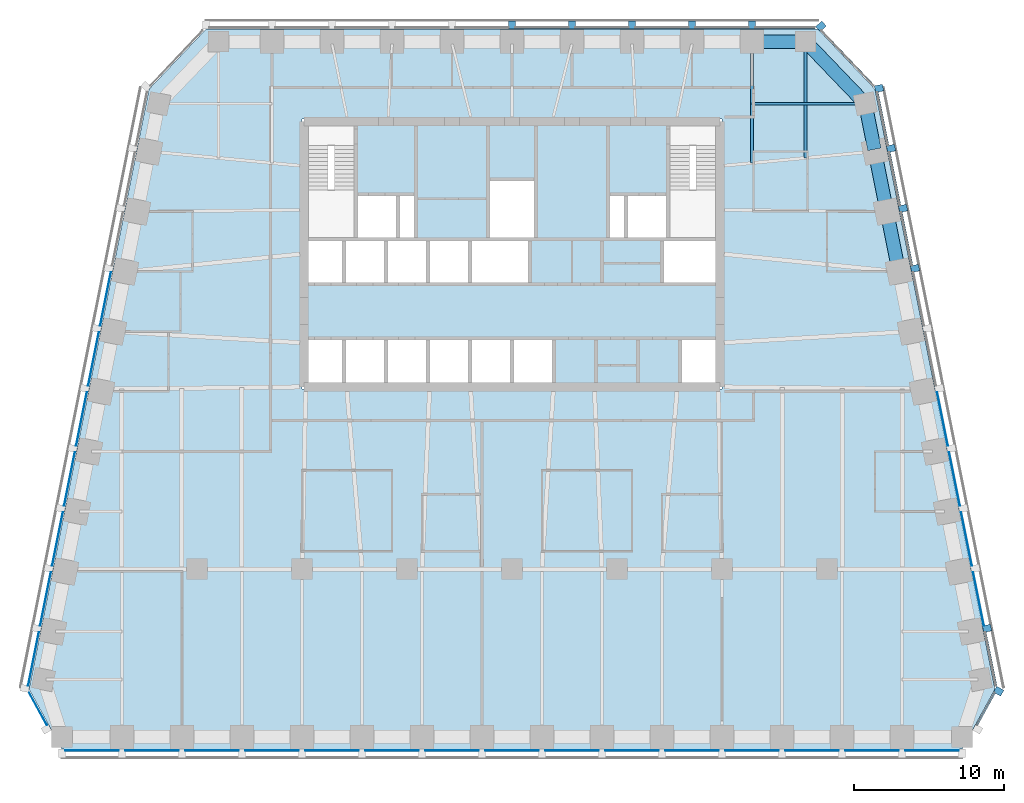
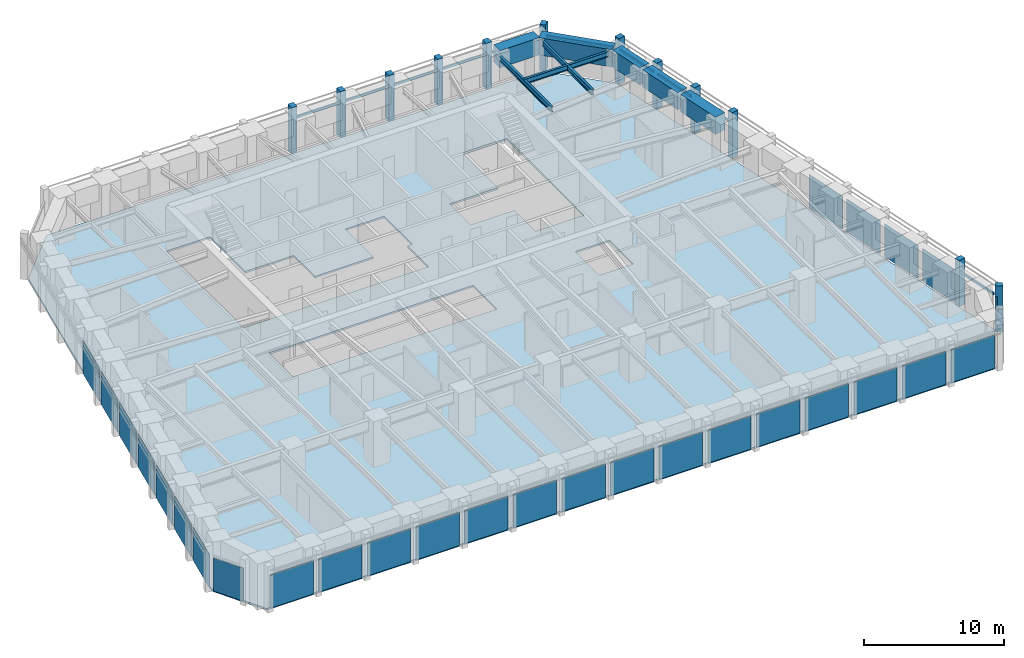
# One storey, part 4 of 10: 27 plates, 23 members, 8 beams, 1 slab, 7 elements without a shape of their own.
"""IFC4 building model written with IfcOpenShell, lengths in metres."""

from ifc_helpers import new_model, si_unit, direction, frame, origin, origin_2d, place, context, subcontext, project, spatial, polyline, rectangle, i_section, outline, extrude, material, layer, layer_set, material_profile, profile_set, type_object, element, aggregate, save


model = new_model("IFC4")

# Units and contexts
model_context = context("Model", 3, precision=1e-05, world=origin(), true_north=direction((0.0, 1.0)))
body_context = subcontext(model_context, "Body", "Model", "MODEL_VIEW")
ifc_project = project(units=[si_unit("LENGTHUNIT", "METRE"), si_unit("AREAUNIT", "SQUARE_METRE"), si_unit("VOLUMEUNIT", "CUBIC_METRE"), si_unit("PLANEANGLEUNIT", "RADIAN"), si_unit("MASSUNIT", "GRAM", prefix="KILO")], contexts=[model_context])

# Site, building, storey
site_placement = place(None, origin())
site = spatial("IfcSite", under=ifc_project, at=site_placement, CompositionType="ELEMENT")
building_placement = place(site_placement, origin())
building = spatial("IfcBuilding", under=site, at=building_placement, Name="Isbrekke Arena Tower", CompositionType="ELEMENT")
storey_placement = place(building_placement, frame((0.0, 0.0, 230.0)))
storey = spatial("IfcBuildingStorey", under=building, at=storey_placement, Name="L53", CompositionType="ELEMENT", Elevation=230.0)

# Beams
ifc_material_1 = material(Name="Steel S355", Category="steel")
ifc_material_profile_1 = material_profile(ifc_material_1, i_section(OverallWidth=0.18994140625, OverallDepth=0.449951171875, WebThickness=0.009521484375, FlangeThickness=0.0146484375, FilletRadius=0.02099609375, at=origin_2d()), Name="IPE 450")
ifc_profile_set_1 = profile_set([ifc_material_profile_1], Name="Steel S355")
beam_type_1 = type_object("IfcBeamType", Name="B2 IPE 450", PredefinedType="BEAM", material=ifc_profile_set_1)
beam_1_placement = place(storey_placement, frame((23.40283203125, 25.029296875, 3.625), z_axis=(-1.0, 0.0, 0.0), x_axis=(0.0, -1.0, 0.0)))
element("IfcBeam", 1, at=beam_1_placement, inside=storey, type_object=beam_type_1, Name="B2 beam E-E11 L53", PredefinedType="BEAM", context=body_context, shape_type="SweptSolid", body=[
    extrude(i_section(OverallWidth=0.18994140625, OverallDepth=0.449951171875, WebThickness=0.009521484375, FlangeThickness=0.0146484375, FilletRadius=0.02099609375, at=origin_2d()), origin(), (0.0, 0.0, 1.0), 7.40283203125),
])
ifc_material_2 = material(Name="Steel S355", Category="steel")
ifc_material_profile_2 = material_profile(ifc_material_2, i_section(OverallWidth=0.18994140625, OverallDepth=0.449951171875, WebThickness=0.009521484375, FlangeThickness=0.0146484375, FilletRadius=0.02099609375, at=origin_2d()), Name="IPE 450")
ifc_profile_set_2 = profile_set([ifc_material_profile_2], Name="Steel S355")
beam_type_2 = type_object("IfcBeamType", Name="B3 IPE 450", PredefinedType="BEAM", material=ifc_profile_set_2)
beam_2_placement = place(storey_placement, frame((19.574951171875, 29.02490234375, 3.625), z_axis=(0.0, -1.0, 0.0), x_axis=(1.0, 0.0, 0.0)))
element("IfcBeam", 2, at=beam_2_placement, inside=storey, type_object=beam_type_2, Name="B3 beam N-N01 L53", PredefinedType="BEAM", context=body_context, shape_type="SweptSolid", body=[
    extrude(i_section(OverallWidth=0.18994140625, OverallDepth=0.449951171875, WebThickness=0.009521484375, FlangeThickness=0.0146484375, FilletRadius=0.02099609375, at=origin_2d()), origin(), (0.0, 0.0, 1.0), 7.6103515625),
])
beam_3_placement = place(storey_placement, frame((16.0, 29.02490234375, 3.625), z_axis=(0.0, -1.0, 0.0), x_axis=(1.0, 0.0, 0.0)))
element("IfcBeam", 3, at=beam_3_placement, inside=storey, type_object=beam_type_2, Name="B3 beam N-N02 L53", PredefinedType="BEAM", context=body_context, shape_type="SweptSolid", body=[
    extrude(i_section(OverallWidth=0.18994140625, OverallDepth=0.449951171875, WebThickness=0.009521484375, FlangeThickness=0.0146484375, FilletRadius=0.02099609375, at=origin_2d()), origin(), (0.0, 0.0, 1.0), 7.949462890625),
])

# Curtain wall, member
ifc_material_3 = material(Name="Glazed aluminium curtain wall", Category="aluminium")
curtain_wall_type = type_object("IfcCurtainWallType", Name="CWH TOWER CURTAIN WALL HIGH ZONE", PredefinedType="USERDEFINED", material=ifc_material_3)
curtain_wall_1_placement = place(storey_placement, origin())
curtain_wall_1 = element("IfcCurtainWall", 4, at=curtain_wall_1_placement, inside=storey, type_object=curtain_wall_type, Name="CWH curtain wall L53-SE", ObjectType="TOWER CURTAIN WALL HIGH ZONE", PredefinedType="USERDEFINED")
ifc_material_4 = material(Name="Aluminium mullion, pale brick slip cladding", Category="masonry")
ifc_material_profile_3 = material_profile(ifc_material_4, rectangle(XDim=0.449951171875, YDim=0.550048828125, at=origin_2d()), Name="PIER 450X550")
ifc_profile_set_3 = profile_set([ifc_material_profile_3], Name="Aluminium mullion, pale brick slip cladding")
member_type_1 = type_object("IfcMemberType", Name="CWH-M PIER MULLION 450 x 550", PredefinedType="MULLION", material=ifc_profile_set_3)
member_1_placement = place(storey_placement, frame((32.44091796875, -14.132568359375, 0.0), z_axis=(0.0, 0.0, 1.0), x_axis=(0.481918749773, 0.876215908676, 0.0)))
member_1 = element("IfcMember", 5, at=member_1_placement, type_object=member_type_1, Name="CWH-M mullion 2", PredefinedType="MULLION", context=body_context, shape_type="SweptSolid", body=[
    extrude(rectangle(XDim=0.449951171875, YDim=0.550048828125, at=origin_2d()), origin(), (0.0, 0.0, 1.0), 4.0),
])

# Curtain wall, members
curtain_wall_2_placement = place(storey_placement, origin())
curtain_wall_2 = element("IfcCurtainWall", 6, at=curtain_wall_2_placement, inside=storey, type_object=curtain_wall_type, Name="CWH curtain wall L53-E", ObjectType="TOWER CURTAIN WALL HIGH ZONE", PredefinedType="USERDEFINED")
member_2_placement = place(storey_placement, frame((31.669677734375, -9.946044921875, 0.0), z_axis=(0.0, 0.0, 1.0), x_axis=(-0.196116135138, 0.980580675691, 0.0)))
member_2 = element("IfcMember", 7, at=member_2_placement, type_object=member_type_1, Name="CWH-M mullion 1", PredefinedType="MULLION", context=body_context, shape_type="SweptSolid", body=[
    extrude(rectangle(XDim=0.449951171875, YDim=0.550048828125, at=origin_2d()), origin(), (0.0, 0.0, 1.0), 4.0),
])
member_3_placement = place(storey_placement, frame((26.86962890625, 14.053955078125, 0.0), z_axis=(0.0, 0.0, 1.0), x_axis=(-0.196116135138, 0.980580675691, 0.0)))
member_3 = element("IfcMember", 8, at=member_3_placement, type_object=member_type_1, Name="CWH-M mullion 7", PredefinedType="MULLION", context=body_context, shape_type="SweptSolid", body=[
    extrude(rectangle(XDim=0.449951171875, YDim=0.550048828125, at=origin_2d()), origin(), (0.0, 0.0, 1.0), 4.0),
])
member_4_placement = place(storey_placement, frame((26.069580078125, 18.053955078125, 0.0), z_axis=(0.0, 0.0, 1.0), x_axis=(-0.196116135138, 0.980580675691, 0.0)))
member_4 = element("IfcMember", 9, at=member_4_placement, type_object=member_type_1, Name="CWH-M mullion 8", PredefinedType="MULLION", context=body_context, shape_type="SweptSolid", body=[
    extrude(rectangle(XDim=0.449951171875, YDim=0.550048828125, at=origin_2d()), origin(), (0.0, 0.0, 1.0), 4.0),
])
member_5_placement = place(storey_placement, frame((25.269775390625, 22.053955078125, 0.0), z_axis=(0.0, 0.0, 1.0), x_axis=(-0.196116135138, 0.980580675691, 0.0)))
member_5 = element("IfcMember", 10, at=member_5_placement, type_object=member_type_1, Name="CWH-M mullion 9", PredefinedType="MULLION", context=body_context, shape_type="SweptSolid", body=[
    extrude(rectangle(XDim=0.449951171875, YDim=0.550048828125, at=origin_2d()), origin(), (0.0, 0.0, 1.0), 4.0),
])
member_6_placement = place(storey_placement, frame((24.4697265625, 26.053955078125, 0.0), z_axis=(0.0, 0.0, 1.0), x_axis=(-0.196116135138, 0.980580675691, 0.0)))
member_6 = element("IfcMember", 11, at=member_6_placement, type_object=member_type_1, Name="CWH-M mullion 10", PredefinedType="MULLION", context=body_context, shape_type="SweptSolid", body=[
    extrude(rectangle(XDim=0.449951171875, YDim=0.550048828125, at=origin_2d()), origin(), (0.0, 0.0, 1.0), 4.0),
])

# Curtain wall, member
curtain_wall_3_placement = place(storey_placement, origin())
curtain_wall_3 = element("IfcCurtainWall", 12, at=curtain_wall_3_placement, inside=storey, type_object=curtain_wall_type, Name="CWH curtain wall L53-EN", ObjectType="TOWER CURTAIN WALL HIGH ZONE", PredefinedType="USERDEFINED")
member_7_placement = place(storey_placement, frame((20.599365234375, 30.189453125, 0.0), z_axis=(0.0, 0.0, 1.0), x_axis=(-0.68874946192, 0.72499943359, 0.0)))
member_7 = element("IfcMember", 13, at=member_7_placement, type_object=member_type_1, Name="CWH-M mullion 1", PredefinedType="MULLION", context=body_context, shape_type="SweptSolid", body=[
    extrude(rectangle(XDim=0.449951171875, YDim=0.550048828125, at=origin_2d()), origin(), (0.0, 0.0, 1.0), 4.0),
])

# Curtain wall, members
curtain_wall_4_placement = place(storey_placement, origin())
curtain_wall_4 = element("IfcCurtainWall", 14, at=curtain_wall_4_placement, inside=storey, type_object=curtain_wall_type, Name="CWH curtain wall L53-N", ObjectType="TOWER CURTAIN WALL HIGH ZONE", PredefinedType="USERDEFINED")
member_8_placement = place(storey_placement, frame((16.0, 30.27490234375, 0.0), z_axis=(0.0, 0.0, 1.0), x_axis=(-1.0, 0.0, 0.0)))
member_8 = element("IfcMember", 15, at=member_8_placement, type_object=member_type_1, Name="CWH-M mullion 1", PredefinedType="MULLION", context=body_context, shape_type="SweptSolid", body=[
    extrude(rectangle(XDim=0.449951171875, YDim=0.550048828125, at=origin_2d()), origin(), (0.0, 0.0, 1.0), 4.0),
])
member_9_placement = place(storey_placement, frame((12.0, 30.27490234375, 0.0), z_axis=(0.0, 0.0, 1.0), x_axis=(-1.0, 0.0, 0.0)))
member_9 = element("IfcMember", 16, at=member_9_placement, type_object=member_type_1, Name="CWH-M mullion 2", PredefinedType="MULLION", context=body_context, shape_type="SweptSolid", body=[
    extrude(rectangle(XDim=0.449951171875, YDim=0.550048828125, at=origin_2d()), origin(), (0.0, 0.0, 1.0), 4.0),
])
member_10_placement = place(storey_placement, frame((8.0, 30.27490234375, 0.0), z_axis=(0.0, 0.0, 1.0), x_axis=(-1.0, 0.0, 0.0)))
member_10 = element("IfcMember", 17, at=member_10_placement, type_object=member_type_1, Name="CWH-M mullion 3", PredefinedType="MULLION", context=body_context, shape_type="SweptSolid", body=[
    extrude(rectangle(XDim=0.449951171875, YDim=0.550048828125, at=origin_2d()), origin(), (0.0, 0.0, 1.0), 4.0),
])
member_11_placement = place(storey_placement, frame((4.0, 30.27490234375, 0.0), z_axis=(0.0, 0.0, 1.0), x_axis=(-1.0, 0.0, 0.0)))
member_11 = element("IfcMember", 18, at=member_11_placement, type_object=member_type_1, Name="CWH-M mullion 4", PredefinedType="MULLION", context=body_context, shape_type="SweptSolid", body=[
    extrude(rectangle(XDim=0.449951171875, YDim=0.550048828125, at=origin_2d()), origin(), (0.0, 0.0, 1.0), 4.0),
])
member_12_placement = place(storey_placement, frame((0.0, 30.27490234375, 0.0), z_axis=(0.0, 0.0, 1.0), x_axis=(-1.0, 0.0, 0.0)))
member_12 = element("IfcMember", 19, at=member_12_placement, type_object=member_type_1, Name="CWH-M mullion 5", PredefinedType="MULLION", context=body_context, shape_type="SweptSolid", body=[
    extrude(rectangle(XDim=0.449951171875, YDim=0.550048828125, at=origin_2d()), origin(), (0.0, 0.0, 1.0), 4.0),
])

# Member
ifc_material_5 = material(Name="Aluminium transom", Category="aluminium")
ifc_material_profile_4 = material_profile(ifc_material_5, rectangle(XDim=0.1201171875, YDim=0.199951171875, at=origin_2d()), Name="TRANSOM 120X200")
ifc_profile_set_4 = profile_set([ifc_material_profile_4], Name="Aluminium transom")
member_type_2 = type_object("IfcMemberType", Name="CWH-T TRANSOM 120 x 200", PredefinedType="USERDEFINED", material=ifc_profile_set_4)
member_13_placement = place(storey_placement, frame((31.002197265625, -16.38525390625, 3.0), z_axis=(0.481937937062, 0.876205355393, 0.0), x_axis=(-0.876205355393, 0.481937937062, 0.0)))
member_13 = element("IfcMember", 20, at=member_13_placement, type_object=member_type_2, Name="CWH-T transom 1", ObjectType="TRANSOM", PredefinedType="USERDEFINED", context=body_context, shape_type="SweptSolid", body=[
    extrude(rectangle(XDim=0.1201171875, YDim=0.199951171875, at=origin_2d()), origin(), (0.0, 0.0, 1.0), 2.442138671875),
])

aggregate(curtain_wall_1, [member_1, member_13])

member_14_placement = place(storey_placement, frame((32.25390625, -13.759765625, 3.0), z_axis=(-0.196090262229, 0.980585849918, 0.0), x_axis=(-0.980585849918, -0.196090262229, 0.0)))
member_14 = element("IfcMember", 21, at=member_14_placement, type_object=member_type_2, Name="CWH-T transom 1", ObjectType="TRANSOM", PredefinedType="USERDEFINED", context=body_context, shape_type="SweptSolid", body=[
    extrude(rectangle(XDim=0.1201171875, YDim=0.199951171875, at=origin_2d()), origin(), (0.0, 0.0, 1.0), 3.62939453125),
])

member_15_placement = place(storey_placement, frame((26.654052734375, 14.240234375, 3.0), z_axis=(-0.196154943734, 0.980572913173, 0.0), x_axis=(-0.980572913173, -0.196154943734, 0.0)))
member_15 = element("IfcMember", 22, at=member_15_placement, type_object=member_type_2, Name="CWH-T transom 8", ObjectType="TRANSOM", PredefinedType="USERDEFINED", context=body_context, shape_type="SweptSolid", body=[
    extrude(rectangle(XDim=0.1201171875, YDim=0.199951171875, at=origin_2d()), origin(), (0.0, 0.0, 1.0), 3.62939453125),
])

member_16_placement = place(storey_placement, frame((25.85400390625, 18.240234375, 3.0), z_axis=(-0.196154943734, 0.980572913173, 0.0), x_axis=(-0.980572913173, -0.196154943734, 0.0)))
member_16 = element("IfcMember", 23, at=member_16_placement, type_object=member_type_2, Name="CWH-T transom 9", ObjectType="TRANSOM", PredefinedType="USERDEFINED", context=body_context, shape_type="SweptSolid", body=[
    extrude(rectangle(XDim=0.1201171875, YDim=0.199951171875, at=origin_2d()), origin(), (0.0, 0.0, 1.0), 3.62939453125),
])

member_17_placement = place(storey_placement, frame((25.053955078125, 22.240234375, 3.0), z_axis=(-0.196090262229, 0.980585849918, 0.0), x_axis=(-0.980585849918, -0.196090262229, 0.0)))
member_17 = element("IfcMember", 24, at=member_17_placement, type_object=member_type_2, Name="CWH-T transom 10", ObjectType="TRANSOM", PredefinedType="USERDEFINED", context=body_context, shape_type="SweptSolid", body=[
    extrude(rectangle(XDim=0.1201171875, YDim=0.199951171875, at=origin_2d()), origin(), (0.0, 0.0, 1.0), 3.62939453125),
])

member_18_placement = place(storey_placement, frame((24.117431640625, 26.23193359375, 3.0), z_axis=(-0.688734266994, 0.725013868466, 0.0), x_axis=(-0.725013868466, -0.688734266994, 0.0)))
member_18 = element("IfcMember", 25, at=member_18_placement, type_object=member_type_2, Name="CWH-T transom 1", ObjectType="TRANSOM", PredefinedType="USERDEFINED", context=body_context, shape_type="SweptSolid", body=[
    extrude(rectangle(XDim=0.1201171875, YDim=0.199951171875, at=origin_2d()), origin(), (0.0, 0.0, 1.0), 5.067138671875),
])

aggregate(curtain_wall_3, [member_7, member_18])

member_19_placement = place(storey_placement, frame((20.175048828125, 30.10009765625, 3.0), z_axis=(-1.0, 0.0, 0.0), x_axis=(0.0, -1.0, 0.0)))
member_19 = element("IfcMember", 26, at=member_19_placement, type_object=member_type_2, Name="CWH-T transom 1", ObjectType="TRANSOM", PredefinedType="USERDEFINED", context=body_context, shape_type="SweptSolid", body=[
    extrude(rectangle(XDim=0.1201171875, YDim=0.199951171875, at=origin_2d()), origin(), (0.0, 0.0, 1.0), 3.949951171875),
])

member_20_placement = place(storey_placement, frame((15.77490234375, 30.10009765625, 3.0), z_axis=(-1.0, 0.0, 0.0), x_axis=(0.0, -1.0, 0.0)))
member_20 = element("IfcMember", 27, at=member_20_placement, type_object=member_type_2, Name="CWH-T transom 2", ObjectType="TRANSOM", PredefinedType="USERDEFINED", context=body_context, shape_type="SweptSolid", body=[
    extrude(rectangle(XDim=0.1201171875, YDim=0.199951171875, at=origin_2d()), origin(), (0.0, 0.0, 1.0), 3.5498046875),
])

member_21_placement = place(storey_placement, frame((11.77490234375, 30.10009765625, 3.0), z_axis=(-1.0, 0.0, 0.0), x_axis=(0.0, -1.0, 0.0)))
member_21 = element("IfcMember", 28, at=member_21_placement, type_object=member_type_2, Name="CWH-T transom 3", ObjectType="TRANSOM", PredefinedType="USERDEFINED", context=body_context, shape_type="SweptSolid", body=[
    extrude(rectangle(XDim=0.1201171875, YDim=0.199951171875, at=origin_2d()), origin(), (0.0, 0.0, 1.0), 3.5498046875),
])

member_22_placement = place(storey_placement, frame((7.77490234375, 30.10009765625, 3.0), z_axis=(-1.0, 0.0, 0.0), x_axis=(0.0, -1.0, 0.0)))
member_22 = element("IfcMember", 29, at=member_22_placement, type_object=member_type_2, Name="CWH-T transom 4", ObjectType="TRANSOM", PredefinedType="USERDEFINED", context=body_context, shape_type="SweptSolid", body=[
    extrude(rectangle(XDim=0.1201171875, YDim=0.199951171875, at=origin_2d()), origin(), (0.0, 0.0, 1.0), 3.5498046875),
])

member_23_placement = place(storey_placement, frame((3.77490234375, 30.10009765625, 3.0), z_axis=(-1.0, 0.0, 0.0), x_axis=(0.0, -1.0, 0.0)))
member_23 = element("IfcMember", 30, at=member_23_placement, type_object=member_type_2, Name="CWH-T transom 5", ObjectType="TRANSOM", PredefinedType="USERDEFINED", context=body_context, shape_type="SweptSolid", body=[
    extrude(rectangle(XDim=0.1201171875, YDim=0.199951171875, at=origin_2d()), origin(), (0.0, 0.0, 1.0), 3.5498046875),
])

aggregate(curtain_wall_4, [member_8, member_9, member_10, member_11, member_12, member_19, member_20, member_21, member_22, member_23])

# Beams
ifc_material_6 = material(Name="Concrete B65 (C65/80)", Category="concrete")
ifc_material_profile_5 = material_profile(ifc_material_6, rectangle(XDim=0.89990234375, YDim=1.5, at=origin_2d()), Name="RC 900x1500")
ifc_profile_set_5 = profile_set([ifc_material_profile_5], Name="Concrete B65 (C65/80)")
beam_type_3 = type_object("IfcBeamType", Name="SB3 RC 900 x 1500", PredefinedType="SPANDREL", material=ifc_profile_set_5)
for number, where, z_axis, x_axis, name in (
    (31, (25.76171875, 13.9853515625, 3.25), (-0.196128558387, 0.980578190959, 0.0), (-0.980578190959, -0.196128558387, 0.0), "SB3 spandrel E08-E09 L53"),
    (32, (24.961669921875, 17.9853515625, 3.25), (-0.196128558387, 0.980578190959, 0.0), (-0.980578190959, -0.196128558387, 0.0), "SB3 spandrel E09-E10 L53"),
):
    element("IfcBeam", number, at=place(storey_placement, frame(where, z_axis=z_axis, x_axis=x_axis)), inside=storey, type_object=beam_type_3, Name=name, PredefinedType="SPANDREL", context=body_context, shape_type="SweptSolid", body=[
        extrude(rectangle(XDim=0.89990234375, YDim=1.5, at=origin_2d()), origin(), (0.0, 0.0, 1.0), 3.779296875),
    ])
beam_4_placement = place(storey_placement, frame((24.16162109375, 21.9853515625, 3.25), z_axis=(-0.196116135138, 0.980580675691, 0.0), x_axis=(-0.980580675691, -0.196116135138, 0.0)))
element("IfcBeam", 33, at=beam_4_placement, inside=storey, type_object=beam_type_3, Name="SB3 spandrel E10-E11 L53", PredefinedType="SPANDREL", context=body_context, shape_type="SweptSolid", body=[
    extrude(rectangle(XDim=0.89990234375, YDim=1.5, at=origin_2d()), origin(), (0.0, 0.0, 1.0), 2.9541015625),
])
beam_5_placement = place(storey_placement, frame((23.448974609375, 25.137451171875, 3.25), z_axis=(-0.692339547635, 0.721571861134, 0.0), x_axis=(-0.721571861134, -0.692339547635, 0.0)))
element("IfcBeam", 34, at=beam_5_placement, inside=storey, type_object=beam_type_3, Name="SB3 spandrel E11-N01 L53", PredefinedType="SPANDREL", context=body_context, shape_type="SweptSolid", body=[
    extrude(rectangle(XDim=0.89990234375, YDim=1.5, at=origin_2d()), origin(), (0.0, 0.0, 1.0), 5.4453125),
])
beam_6_placement = place(storey_placement, frame((19.425048828125, 29.175048828125, 3.25), z_axis=(-1.0, 0.0, 0.0), x_axis=(0.0, -1.0, 0.0)))
element("IfcBeam", 35, at=beam_6_placement, inside=storey, type_object=beam_type_3, Name="SB3 spandrel N01-N02 L53", PredefinedType="SPANDREL", context=body_context, shape_type="SweptSolid", body=[
    extrude(rectangle(XDim=0.89990234375, YDim=1.5, at=origin_2d()), origin(), (0.0, 0.0, 1.0), 3.275146484375),
])

# Curtain wall, plates
curtain_wall_5_placement = place(storey_placement, origin())
curtain_wall_5 = element("IfcCurtainWall", 36, at=curtain_wall_5_placement, inside=storey, type_object=curtain_wall_type, Name="CWH curtain wall L53-S", ObjectType="TOWER CURTAIN WALL HIGH ZONE", PredefinedType="USERDEFINED")
ifc_material_7 = material(Name="Triple-glazed clear glass unit", Category="glass")
ifc_layer_1 = layer(ifc_material_7, 0.031982421875)
ifc_layer_set_1 = layer_set([ifc_layer_1], Name="CWH-P VISION PANEL")
plate_type = type_object("IfcPlateType", Name="CWH-P VISION PANEL", PredefinedType="CURTAIN_PANEL", material=ifc_layer_set_1)
plate_1_placement = place(storey_placement, frame((-28.0, -18.10009765625, 0.02001953125), z_axis=(0.0, 0.0, 1.0), x_axis=(1.0, 0.0, 0.0)))
plate_1 = element("IfcPlate", 37, at=plate_1_placement, type_object=plate_type, Name="CWH-P panel 1", PredefinedType="CURTAIN_PANEL", context=body_context, shape_type="SweptSolid", body=[
    extrude(rectangle(XDim=3.550048828125, YDim=0.031982421875, at=origin_2d()), origin(), (0.0, 0.0, 1.0), 2.8798828125),
])
plate_2_placement = place(storey_placement, frame((-24.0, -18.10009765625, 0.02001953125), z_axis=(0.0, 0.0, 1.0), x_axis=(1.0, 0.0, 0.0)))
plate_2 = element("IfcPlate", 38, at=plate_2_placement, type_object=plate_type, Name="CWH-P panel 2", PredefinedType="CURTAIN_PANEL", context=body_context, shape_type="SweptSolid", body=[
    extrude(rectangle(XDim=3.550048828125, YDim=0.031982421875, at=origin_2d()), origin(), (0.0, 0.0, 1.0), 2.8798828125),
])
plate_3_placement = place(storey_placement, frame((-20.0, -18.10009765625, 0.02001953125), z_axis=(0.0, 0.0, 1.0), x_axis=(1.0, 0.0, 0.0)))
plate_3 = element("IfcPlate", 39, at=plate_3_placement, type_object=plate_type, Name="CWH-P panel 3", PredefinedType="CURTAIN_PANEL", context=body_context, shape_type="SweptSolid", body=[
    extrude(rectangle(XDim=3.550048828125, YDim=0.031982421875, at=origin_2d()), origin(), (0.0, 0.0, 1.0), 2.8798828125),
])
plate_4_placement = place(storey_placement, frame((-16.0, -18.10009765625, 0.02001953125), z_axis=(0.0, 0.0, 1.0), x_axis=(1.0, 0.0, 0.0)))
plate_4 = element("IfcPlate", 40, at=plate_4_placement, type_object=plate_type, Name="CWH-P panel 4", PredefinedType="CURTAIN_PANEL", context=body_context, shape_type="SweptSolid", body=[
    extrude(rectangle(XDim=3.550048828125, YDim=0.031982421875, at=origin_2d()), origin(), (0.0, 0.0, 1.0), 2.8798828125),
])
plate_5_placement = place(storey_placement, frame((-12.0, -18.10009765625, 0.02001953125), z_axis=(0.0, 0.0, 1.0), x_axis=(1.0, 0.0, 0.0)))
plate_5 = element("IfcPlate", 41, at=plate_5_placement, type_object=plate_type, Name="CWH-P panel 5", PredefinedType="CURTAIN_PANEL", context=body_context, shape_type="SweptSolid", body=[
    extrude(rectangle(XDim=3.550048828125, YDim=0.031982421875, at=origin_2d()), origin(), (0.0, 0.0, 1.0), 2.8798828125),
])
plate_6_placement = place(storey_placement, frame((-8.0, -18.10009765625, 0.02001953125), z_axis=(0.0, 0.0, 1.0), x_axis=(1.0, 0.0, 0.0)))
plate_6 = element("IfcPlate", 42, at=plate_6_placement, type_object=plate_type, Name="CWH-P panel 6", PredefinedType="CURTAIN_PANEL", context=body_context, shape_type="SweptSolid", body=[
    extrude(rectangle(XDim=3.550048828125, YDim=0.031982421875, at=origin_2d()), origin(), (0.0, 0.0, 1.0), 2.8798828125),
])
plate_7_placement = place(storey_placement, frame((-4.0, -18.10009765625, 0.02001953125), z_axis=(0.0, 0.0, 1.0), x_axis=(1.0, 0.0, 0.0)))
plate_7 = element("IfcPlate", 43, at=plate_7_placement, type_object=plate_type, Name="CWH-P panel 7", PredefinedType="CURTAIN_PANEL", context=body_context, shape_type="SweptSolid", body=[
    extrude(rectangle(XDim=3.550048828125, YDim=0.031982421875, at=origin_2d()), origin(), (0.0, 0.0, 1.0), 2.8798828125),
])
plate_8_placement = place(storey_placement, frame((0.0, -18.10009765625, 0.02001953125), z_axis=(0.0, 0.0, 1.0), x_axis=(1.0, 0.0, 0.0)))
plate_8 = element("IfcPlate", 44, at=plate_8_placement, type_object=plate_type, Name="CWH-P panel 8", PredefinedType="CURTAIN_PANEL", context=body_context, shape_type="SweptSolid", body=[
    extrude(rectangle(XDim=3.550048828125, YDim=0.031982421875, at=origin_2d()), origin(), (0.0, 0.0, 1.0), 2.8798828125),
])
plate_9_placement = place(storey_placement, frame((4.0, -18.10009765625, 0.02001953125), z_axis=(0.0, 0.0, 1.0), x_axis=(1.0, 0.0, 0.0)))
plate_9 = element("IfcPlate", 45, at=plate_9_placement, type_object=plate_type, Name="CWH-P panel 9", PredefinedType="CURTAIN_PANEL", context=body_context, shape_type="SweptSolid", body=[
    extrude(rectangle(XDim=3.550048828125, YDim=0.031982421875, at=origin_2d()), origin(), (0.0, 0.0, 1.0), 2.8798828125),
])
plate_10_placement = place(storey_placement, frame((8.0, -18.10009765625, 0.02001953125), z_axis=(0.0, 0.0, 1.0), x_axis=(1.0, 0.0, 0.0)))
plate_10 = element("IfcPlate", 46, at=plate_10_placement, type_object=plate_type, Name="CWH-P panel 10", PredefinedType="CURTAIN_PANEL", context=body_context, shape_type="SweptSolid", body=[
    extrude(rectangle(XDim=3.550048828125, YDim=0.031982421875, at=origin_2d()), origin(), (0.0, 0.0, 1.0), 2.8798828125),
])
plate_11_placement = place(storey_placement, frame((12.0, -18.10009765625, 0.02001953125), z_axis=(0.0, 0.0, 1.0), x_axis=(1.0, 0.0, 0.0)))
plate_11 = element("IfcPlate", 47, at=plate_11_placement, type_object=plate_type, Name="CWH-P panel 11", PredefinedType="CURTAIN_PANEL", context=body_context, shape_type="SweptSolid", body=[
    extrude(rectangle(XDim=3.550048828125, YDim=0.031982421875, at=origin_2d()), origin(), (0.0, 0.0, 1.0), 2.8798828125),
])
plate_12_placement = place(storey_placement, frame((16.0, -18.10009765625, 0.02001953125), z_axis=(0.0, 0.0, 1.0), x_axis=(1.0, 0.0, 0.0)))
plate_12 = element("IfcPlate", 48, at=plate_12_placement, type_object=plate_type, Name="CWH-P panel 12", PredefinedType="CURTAIN_PANEL", context=body_context, shape_type="SweptSolid", body=[
    extrude(rectangle(XDim=3.550048828125, YDim=0.031982421875, at=origin_2d()), origin(), (0.0, 0.0, 1.0), 2.8798828125),
])
plate_13_placement = place(storey_placement, frame((20.0, -18.10009765625, 0.02001953125), z_axis=(0.0, 0.0, 1.0), x_axis=(1.0, 0.0, 0.0)))
plate_13 = element("IfcPlate", 49, at=plate_13_placement, type_object=plate_type, Name="CWH-P panel 13", PredefinedType="CURTAIN_PANEL", context=body_context, shape_type="SweptSolid", body=[
    extrude(rectangle(XDim=3.550048828125, YDim=0.031982421875, at=origin_2d()), origin(), (0.0, 0.0, 1.0), 2.8798828125),
])
plate_14_placement = place(storey_placement, frame((24.0, -18.10009765625, 0.02001953125), z_axis=(0.0, 0.0, 1.0), x_axis=(1.0, 0.0, 0.0)))
plate_14 = element("IfcPlate", 50, at=plate_14_placement, type_object=plate_type, Name="CWH-P panel 14", PredefinedType="CURTAIN_PANEL", context=body_context, shape_type="SweptSolid", body=[
    extrude(rectangle(XDim=3.550048828125, YDim=0.031982421875, at=origin_2d()), origin(), (0.0, 0.0, 1.0), 2.8798828125),
])
plate_15_placement = place(storey_placement, frame((28.0, -18.10009765625, 0.02001953125), z_axis=(0.0, 0.0, 1.0), x_axis=(1.0, 0.0, 0.0)))
plate_15 = element("IfcPlate", 51, at=plate_15_placement, type_object=plate_type, Name="CWH-P panel 15", PredefinedType="CURTAIN_PANEL", context=body_context, shape_type="SweptSolid", body=[
    extrude(rectangle(XDim=3.550048828125, YDim=0.031982421875, at=origin_2d()), origin(), (0.0, 0.0, 1.0), 2.8798828125),
])
aggregate(curtain_wall_5, [plate_1, plate_2, plate_3, plate_4, plate_5, plate_6, plate_7, plate_8, plate_9, plate_10, plate_11, plate_12, plate_13, plate_14, plate_15])

# Plate
plate_16_placement = place(storey_placement, frame((31.09814453125, -7.98046875, 0.02001953125), z_axis=(0.0, 0.0, 1.0), x_axis=(-0.196116135138, 0.980580675691, 0.0)))
plate_16 = element("IfcPlate", 52, at=plate_16_placement, type_object=plate_type, Name="CWH-P panel 2", PredefinedType="CURTAIN_PANEL", context=body_context, shape_type="SweptSolid", body=[
    extrude(rectangle(XDim=3.629150390625, YDim=0.031982421875, at=origin_2d()), origin(), (0.0, 0.0, 1.0), 2.8798828125),
])

plate_17_placement = place(storey_placement, frame((30.298095703125, -3.98046875, 0.02001953125), z_axis=(0.0, 0.0, 1.0), x_axis=(-0.196116135138, 0.980580675691, 0.0)))
plate_17 = element("IfcPlate", 53, at=plate_17_placement, type_object=plate_type, Name="CWH-P panel 3", PredefinedType="CURTAIN_PANEL", context=body_context, shape_type="SweptSolid", body=[
    extrude(rectangle(XDim=3.629150390625, YDim=0.031982421875, at=origin_2d()), origin(), (0.0, 0.0, 1.0), 2.8798828125),
])

plate_18_placement = place(storey_placement, frame((29.498046875, 0.01953125, 0.02001953125), z_axis=(0.0, 0.0, 1.0), x_axis=(-0.196116135138, 0.980580675691, 0.0)))
plate_18 = element("IfcPlate", 54, at=plate_18_placement, type_object=plate_type, Name="CWH-P panel 4", PredefinedType="CURTAIN_PANEL", context=body_context, shape_type="SweptSolid", body=[
    extrude(rectangle(XDim=3.629150390625, YDim=0.031982421875, at=origin_2d()), origin(), (0.0, 0.0, 1.0), 2.8798828125),
])

plate_19_placement = place(storey_placement, frame((28.697998046875, 4.01953125, 0.02001953125), z_axis=(0.0, 0.0, 1.0), x_axis=(-0.196116135138, 0.980580675691, 0.0)))
plate_19 = element("IfcPlate", 55, at=plate_19_placement, type_object=plate_type, Name="CWH-P panel 5", PredefinedType="CURTAIN_PANEL", context=body_context, shape_type="SweptSolid", body=[
    extrude(rectangle(XDim=3.629150390625, YDim=0.031982421875, at=origin_2d()), origin(), (0.0, 0.0, 1.0), 2.8798828125),
])

aggregate(curtain_wall_2, [member_2, member_3, member_4, member_5, member_6, member_14, plate_16, plate_17, plate_18, plate_19, member_15, member_16, member_17])

# Curtain wall, plates
curtain_wall_6_placement = place(storey_placement, origin())
curtain_wall_6 = element("IfcCurtainWall", 56, at=curtain_wall_6_placement, inside=storey, type_object=curtain_wall_type, Name="CWH curtain wall L53-W", ObjectType="TOWER CURTAIN WALL HIGH ZONE", PredefinedType="USERDEFINED")
plate_20_placement = place(storey_placement, frame((-27.09814453125, 12.01953125, 0.02001953125), z_axis=(0.0, 0.0, 1.0), x_axis=(-0.196116135138, -0.980580675691, 0.0)))
plate_20 = element("IfcPlate", 57, at=plate_20_placement, type_object=plate_type, Name="CWH-P panel 4", PredefinedType="CURTAIN_PANEL", context=body_context, shape_type="SweptSolid", body=[
    extrude(rectangle(XDim=3.629150390625, YDim=0.031982421875, at=origin_2d()), origin(), (0.0, 0.0, 1.0), 2.8798828125),
])
plate_21_placement = place(storey_placement, frame((-27.89794921875, 8.01953125, 0.02001953125), z_axis=(0.0, 0.0, 1.0), x_axis=(-0.196116135138, -0.980580675691, 0.0)))
plate_21 = element("IfcPlate", 58, at=plate_21_placement, type_object=plate_type, Name="CWH-P panel 5", PredefinedType="CURTAIN_PANEL", context=body_context, shape_type="SweptSolid", body=[
    extrude(rectangle(XDim=3.629150390625, YDim=0.031982421875, at=origin_2d()), origin(), (0.0, 0.0, 1.0), 2.8798828125),
])
plate_22_placement = place(storey_placement, frame((-28.697998046875, 4.01953125, 0.02001953125), z_axis=(0.0, 0.0, 1.0), x_axis=(-0.196116135138, -0.980580675691, 0.0)))
plate_22 = element("IfcPlate", 59, at=plate_22_placement, type_object=plate_type, Name="CWH-P panel 6", PredefinedType="CURTAIN_PANEL", context=body_context, shape_type="SweptSolid", body=[
    extrude(rectangle(XDim=3.629150390625, YDim=0.031982421875, at=origin_2d()), origin(), (0.0, 0.0, 1.0), 2.8798828125),
])
plate_23_placement = place(storey_placement, frame((-29.498046875, 0.01953125, 0.02001953125), z_axis=(0.0, 0.0, 1.0), x_axis=(-0.196116135138, -0.980580675691, 0.0)))
plate_23 = element("IfcPlate", 60, at=plate_23_placement, type_object=plate_type, Name="CWH-P panel 7", PredefinedType="CURTAIN_PANEL", context=body_context, shape_type="SweptSolid", body=[
    extrude(rectangle(XDim=3.629150390625, YDim=0.031982421875, at=origin_2d()), origin(), (0.0, 0.0, 1.0), 2.8798828125),
])
plate_24_placement = place(storey_placement, frame((-30.298095703125, -3.98046875, 0.02001953125), z_axis=(0.0, 0.0, 1.0), x_axis=(-0.196116135138, -0.980580675691, 0.0)))
plate_24 = element("IfcPlate", 61, at=plate_24_placement, type_object=plate_type, Name="CWH-P panel 8", PredefinedType="CURTAIN_PANEL", context=body_context, shape_type="SweptSolid", body=[
    extrude(rectangle(XDim=3.629150390625, YDim=0.031982421875, at=origin_2d()), origin(), (0.0, 0.0, 1.0), 2.8798828125),
])
plate_25_placement = place(storey_placement, frame((-31.09814453125, -7.98046875, 0.02001953125), z_axis=(0.0, 0.0, 1.0), x_axis=(-0.196116135138, -0.980580675691, 0.0)))
plate_25 = element("IfcPlate", 62, at=plate_25_placement, type_object=plate_type, Name="CWH-P panel 9", PredefinedType="CURTAIN_PANEL", context=body_context, shape_type="SweptSolid", body=[
    extrude(rectangle(XDim=3.629150390625, YDim=0.031982421875, at=origin_2d()), origin(), (0.0, 0.0, 1.0), 2.8798828125),
])
plate_26_placement = place(storey_placement, frame((-31.89794921875, -11.98046875, 0.02001953125), z_axis=(0.0, 0.0, 1.0), x_axis=(-0.196116135138, -0.980580675691, 0.0)))
plate_26 = element("IfcPlate", 63, at=plate_26_placement, type_object=plate_type, Name="CWH-P panel 10", PredefinedType="CURTAIN_PANEL", context=body_context, shape_type="SweptSolid", body=[
    extrude(rectangle(XDim=3.629150390625, YDim=0.031982421875, at=origin_2d()), origin(), (0.0, 0.0, 1.0), 2.8798828125),
])
aggregate(curtain_wall_6, [plate_20, plate_21, plate_22, plate_23, plate_24, plate_25, plate_26])

# Curtain wall, plate
curtain_wall_7_placement = place(storey_placement, origin())
curtain_wall_7 = element("IfcCurtainWall", 64, at=curtain_wall_7_placement, inside=storey, type_object=curtain_wall_type, Name="CWH curtain wall L53-WS", ObjectType="TOWER CURTAIN WALL HIGH ZONE", PredefinedType="USERDEFINED")
plate_27_placement = place(storey_placement, frame((-31.59033203125, -15.31591796875, 0.02001953125), z_axis=(0.0, 0.0, 1.0), x_axis=(0.481918749773, -0.876215908676, 0.0)))
plate_27 = element("IfcPlate", 65, at=plate_27_placement, type_object=plate_type, Name="CWH-P panel 1", PredefinedType="CURTAIN_PANEL", context=body_context, shape_type="SweptSolid", body=[
    extrude(rectangle(XDim=2.443603515625, YDim=0.031982421875, at=origin_2d()), origin(), (0.0, 0.0, 1.0), 2.8798828125),
])
aggregate(curtain_wall_7, [plate_27])

# Slab
ifc_material_8 = material(Name="Concrete B35 (C35/45)", Category="concrete")
ifc_layer_2 = layer(ifc_material_8, 0.14990234375)
ifc_layer_set_2 = layer_set([ifc_layer_2], Name="FS1 COMPOSITE FLOOR 150")
slab_type = type_object("IfcSlabType", Name="FS1 COMPOSITE FLOOR 150", PredefinedType="FLOOR", material=ifc_layer_set_2)
slab_placement = place(storey_placement, frame((0.0, 0.0, -0.14990234375)))
element("IfcSlab", 66, at=slab_placement, inside=storey, type_object=slab_type, Name="FS1 floor slab L53", PredefinedType="FLOOR", context=body_context, shape_type="SweptSolid", body=[
    extrude(outline(polyline([(-30.0, -18.0), (30.0, -18.0), (32.199951171875, -14.0), (24.199951171875, 26.0), (20.39990234375, 30.0), (-20.39990234375, 30.0), (-24.199951171875, 26.0), (-32.199951171875, -14.0), (-30.0, -18.0)]), holes=[polyline([(2.800048828125, 9.39990234375), (2.800048828125, 6.0), (-14.0, 6.0), (-14.0, 9.39990234375), (2.800048828125, 9.39990234375)]), polyline([(11.199951171875, 6.0), (11.199951171875, 9.39990234375), (14.0, 9.39990234375), (14.0, 6.0), (11.199951171875, 6.0)]), polyline([(-14.0, 13.0), (-14.0, 24.0), (-10.39990234375, 24.0), (-10.39990234375, 19.0), (-6.39990234375, 19.0), (-6.39990234375, 16.0), (-1.60009765625, 16.0), (-1.60009765625, 20.0), (1.60009765625, 20.0), (1.60009765625, 16.0), (1.199951171875, 16.0), (1.199951171875, 13.0), (-14.0, 13.0)]), polyline([(10.0, 13.0), (10.0, 16.0), (6.39990234375, 16.0), (6.39990234375, 19.0), (10.39990234375, 19.0), (10.39990234375, 24.0), (14.0, 24.0), (14.0, 13.0), (10.0, 13.0)])]), origin(), (0.0, 0.0, 1.0), 0.14990234375),
])

save(model, "model.ifc")
